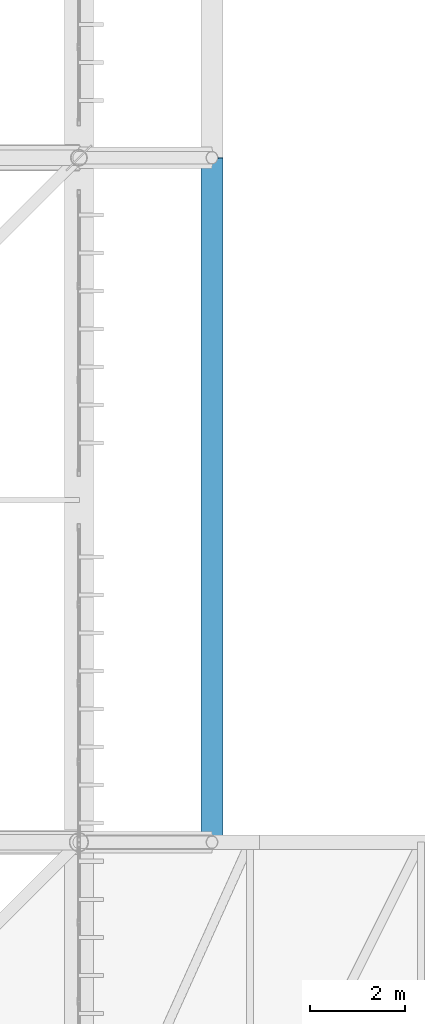
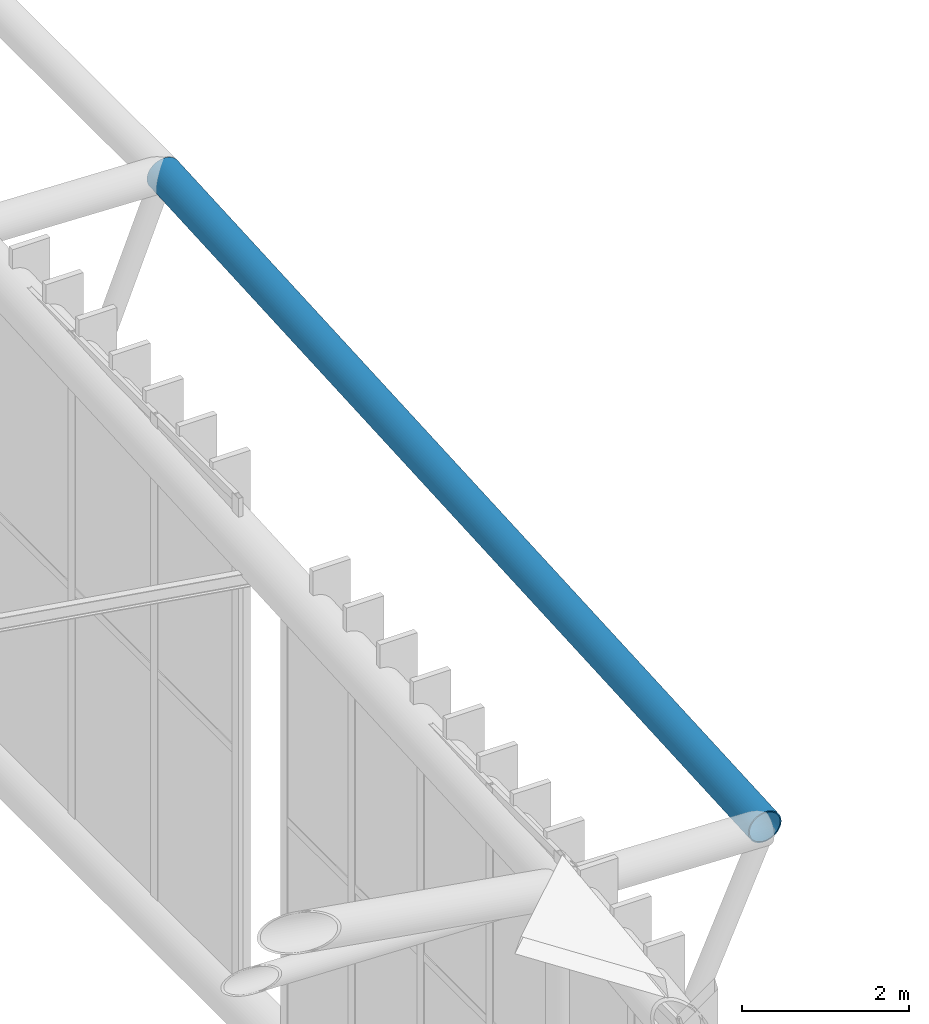
# One storey, part 170 of 397: 1 beam.
"""IFC4 building model written with IfcOpenShell, lengths in metres."""

from ifc_helpers import new_model, si_unit, direction, frame, origin, origin_2d, place, context, subcontext, project, spatial, hollow_circle, extrude, material, material_profile, profile_set, type_object, element, save


model = new_model("IFC4")

# Units and contexts
model_context = context("Model", 3, precision=1e-05, world=origin(), true_north=direction((0.0, 1.0)))
body_context = subcontext(model_context, "Body", "Model", "MODEL_VIEW")
ifc_project = project(units=[si_unit("LENGTHUNIT", "METRE"), si_unit("AREAUNIT", "SQUARE_METRE"), si_unit("VOLUMEUNIT", "CUBIC_METRE"), si_unit("PLANEANGLEUNIT", "RADIAN"), si_unit("MASSUNIT", "GRAM", prefix="KILO")], contexts=[model_context])

# Site, building, storey
site_placement = place(None, origin())
site = spatial("IfcSite", under=ifc_project, at=site_placement, CompositionType="ELEMENT")
building_placement = place(site_placement, origin())
building = spatial("IfcBuilding", under=site, at=building_placement, Name="Qandorah Velis Arena", CompositionType="ELEMENT")
storey_placement = place(building_placement, frame((0.0, 0.0, 27.5)))
storey = spatial("IfcBuildingStorey", under=building, at=storey_placement, Name="RF", CompositionType="ELEMENT", Elevation=27.5)

# Beam
ifc_material = material(Name="Steel S355", Category="steel")
ifc_material_profile = material_profile(ifc_material, hollow_circle(Radius=0.228515625, WallThickness=0.01611328125, at=origin_2d()), Name="CHS 457x16")
ifc_profile_set = profile_set([ifc_material_profile], Name="Steel S355")
beam_type = type_object("IfcBeamType", Name="STR-SFC-CHS457X16", PredefinedType="USERDEFINED", material=ifc_profile_set)
beam_placement = place(storey_placement, frame((118.0, 43.199951171875, 6.348388671875), z_axis=(0.0, 0.998373702442, 0.057008335111), x_axis=(-1.0, 0.0, 0.0)))
element("IfcBeam", 1, at=beam_placement, inside=storey, type_object=beam_type, Name="Space frame eave fascia ring E-2", ObjectType="ROOF TRUSS", PredefinedType="USERDEFINED", context=body_context, shape_type="SweptSolid", body=[
    extrude(hollow_circle(Radius=0.228515625, WallThickness=0.01611328125, at=origin_2d()), origin(), (0.0, 0.0, 1.0), 14.423583984375),
])

save(model, "model.ifc")
